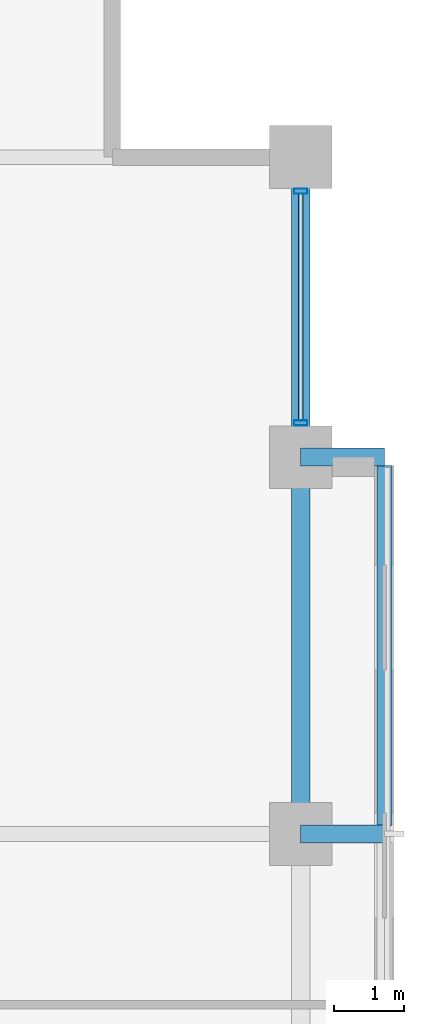
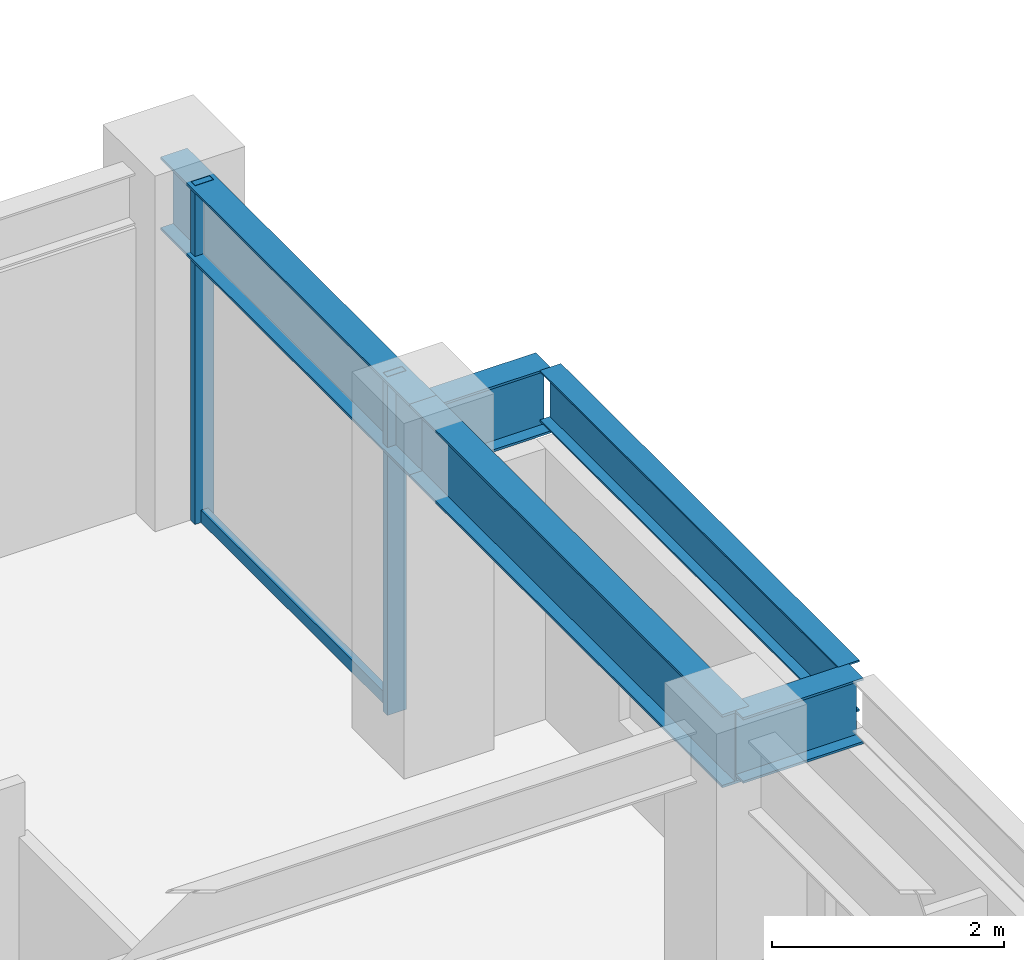
# One storey, part 24 of 32: 5 beams, 3 members, 1 element without a shape of its own.
"""IFC4 building model written with IfcOpenShell, lengths in metres."""

from ifc_helpers import new_model, si_unit, direction, frame, origin, origin_2d, place, context, subcontext, project, spatial, hollow_rectangle, i_section, extrude, material, layer, layer_set, material_profile, profile_set, type_object, element, aggregate, save


model = new_model("IFC4")

# Units and contexts
model_context = context("Model", 3, precision=1e-05, world=origin(), true_north=direction((0.0, 1.0)))
body_context = subcontext(model_context, "Body", "Model", "MODEL_VIEW")
ifc_project = project(units=[si_unit("LENGTHUNIT", "METRE"), si_unit("AREAUNIT", "SQUARE_METRE"), si_unit("VOLUMEUNIT", "CUBIC_METRE"), si_unit("PLANEANGLEUNIT", "RADIAN"), si_unit("MASSUNIT", "GRAM", prefix="KILO")], contexts=[model_context])

# Site, building, storey
site_placement = place(None, origin())
site = spatial("IfcSite", under=ifc_project, at=site_placement, CompositionType="ELEMENT")
building_placement = place(site_placement, origin())
building = spatial("IfcBuilding", under=site, at=building_placement, Name="Surkhivell Harbour Commons", CompositionType="ELEMENT")
storey_placement = place(building_placement, frame((0.0, 0.0, 186.0)))
storey = spatial("IfcBuildingStorey", under=building, at=storey_placement, Name="L48", CompositionType="ELEMENT", Elevation=186.0)

# Beams
ifc_material_1 = material(Name="Steel S460", Category="steel")
ifc_material_profile_1 = material_profile(ifc_material_1, i_section(OverallWidth=0.256103515625, OverallDepth=0.693115234375, WebThickness=0.014404296875, FlangeThickness=0.023681640625, at=origin_2d()), Name="UB686x254x170")
ifc_profile_set_1 = profile_set([ifc_material_profile_1], Name="Steel S460")
beam_type_1 = type_object("IfcBeamType", Name="BM-CNT-686", PredefinedType="BEAM", material=ifc_profile_set_1)
for number, where, z_axis, x_axis, name in (
    (1, (21.60009765625, 10.800048828125, 3.223388671875), (1.0, 0.0, 0.0), (0.0, 1.0, 0.0), "L48 Box Cantilever Outrigger (21.6,10.8)"),
    (2, (21.60009765625, 16.199951171875, 3.223388671875), (1.0, 0.0, 0.0), (0.0, 1.0, 0.0), "L48 Box Cantilever Outrigger (21.6,16.2)"),
):
    element("IfcBeam", number, at=place(storey_placement, frame(where, z_axis=z_axis, x_axis=x_axis)), inside=storey, type_object=beam_type_1, Name=name, PredefinedType="BEAM", context=body_context, shape_type="SweptSolid", body=[
        extrude(i_section(OverallWidth=0.256103515625, OverallDepth=0.693115234375, WebThickness=0.014404296875, FlangeThickness=0.023681640625, at=origin_2d()), origin(), (0.0, 0.0, 1.0), 1.199951171875),
    ])
ifc_material_2 = material(Name="Steel S355", Category="steel")
ifc_material_profile_2 = material_profile(ifc_material_2, i_section(OverallWidth=0.2099609375, OverallDepth=0.537109375, WebThickness=0.0107421875, FlangeThickness=0.017333984375, at=origin_2d()), Name="UB533x210x101")
ifc_profile_set_2 = profile_set([ifc_material_profile_2], Name="Steel S355")
beam_type_2 = type_object("IfcBeamType", Name="BM-GRD-533B", PredefinedType="BEAM", material=ifc_profile_set_2)
beam_1_placement = place(storey_placement, frame((22.800048828125, 10.922119140625, 3.301513671875), z_axis=(0.0, 1.0, 0.0), x_axis=(-1.0, 0.0, 0.0)))
element("IfcBeam", 3, at=beam_1_placement, inside=storey, type_object=beam_type_2, Name="L48 Box Rim Spandrel (22.8,10.8)", PredefinedType="BEAM", context=body_context, shape_type="SweptSolid", body=[
    extrude(i_section(OverallWidth=0.2099609375, OverallDepth=0.537109375, WebThickness=0.0107421875, FlangeThickness=0.017333984375, at=origin_2d()), origin(), (0.0, 0.0, 1.0), 5.15576171875),
])
ifc_material_profile_3 = material_profile(ifc_material_2, i_section(OverallWidth=0.26806640625, OverallDepth=0.77001953125, WebThickness=0.015625, FlangeThickness=0.025390625, at=origin_2d()), Name="UB762x267x197")
ifc_profile_set_3 = profile_set([ifc_material_profile_3], Name="Steel S355")
beam_type_3 = type_object("IfcBeamType", Name="BM-SPN-762", PredefinedType="SPANDREL", material=ifc_profile_set_3)
beam_2_placement = place(storey_placement, frame((21.60009765625, 10.800048828125, 3.18505859375), z_axis=(0.0, 1.0, 0.0), x_axis=(-1.0, 0.0, 0.0)))
element("IfcBeam", 4, at=beam_2_placement, inside=storey, type_object=beam_type_3, Name="L48 Tube Spandrel (21.6,10.8)", PredefinedType="SPANDREL", context=body_context, shape_type="SweptSolid", body=[
    extrude(i_section(OverallWidth=0.26806640625, OverallDepth=0.77001953125, WebThickness=0.015625, FlangeThickness=0.025390625, at=origin_2d()), origin(), (0.0, 0.0, 1.0), 5.39990234375),
])
beam_3_placement = place(storey_placement, frame((21.60009765625, 16.199951171875, 3.18505859375), z_axis=(0.0, 1.0, 0.0), x_axis=(-1.0, 0.0, 0.0)))
element("IfcBeam", 5, at=beam_3_placement, inside=storey, type_object=beam_type_3, Name="L48 Tube Spandrel (21.6,16.2)", PredefinedType="SPANDREL", context=body_context, shape_type="SweptSolid", body=[
    extrude(i_section(OverallWidth=0.26806640625, OverallDepth=0.77001953125, WebThickness=0.015625, FlangeThickness=0.025390625, at=origin_2d()), origin(), (0.0, 0.0, 1.0), 4.300048828125),
])

# Curtain wall, members
ifc_material_3 = material(Name="Anodised pale-metal aluminium and insulated glazing", Category="aluminium")
ifc_layer = layer(ifc_material_3, 0.18994140625)
ifc_layer_set = layer_set([ifc_layer], Name="Anodised pale-metal aluminium and insulated glazing")
curtain_wall_type = type_object("IfcCurtainWallType", Name="CW-SYS-Z3", PredefinedType="NOTDEFINED", material=ifc_layer_set)
curtain_wall_placement = place(storey_placement, origin())
curtain_wall = element("IfcCurtainWall", 6, at=curtain_wall_placement, inside=storey, type_object=curtain_wall_type, Name="L48 Curtain Wall CW-L48-E02R2", PredefinedType="NOTDEFINED")
ifc_material_4 = material(Name="Anodised pale-metal aluminium alloy 6063-T6", Category="aluminium")
ifc_material_profile_4 = material_profile(ifc_material_4, hollow_rectangle(XDim=0.074951171875, YDim=0.18994140625, WallThickness=0.00390625, at=origin_2d()), Name="ALU-MULL-75x190")
ifc_profile_set_4 = profile_set([ifc_material_profile_4], Name="Anodised pale-metal aluminium alloy 6063-T6")
member_type_1 = type_object("IfcMemberType", Name="CWM-190", PredefinedType="MULLION", material=ifc_profile_set_4)
member_1_placement = place(storey_placement, frame((21.60009765625, 16.689453125, 0.0), z_axis=(0.0, 0.0, 1.0), x_axis=(0.0, 1.0, 0.0)))
member_1 = element("IfcMember", 7, at=member_1_placement, type_object=member_type_1, Name="CW-Z3 mullion 1", PredefinedType="MULLION", context=body_context, shape_type="SweptSolid", body=[
    extrude(hollow_rectangle(XDim=0.074951171875, YDim=0.18994140625, WallThickness=0.00390625, at=origin_2d()), origin(), (0.0, 0.0, 1.0), 3.570068359375),
])
member_2_placement = place(storey_placement, frame((21.60009765625, 20.010498046875, 0.0), z_axis=(0.0, 0.0, 1.0), x_axis=(0.0, 1.0, 0.0)))
member_2 = element("IfcMember", 8, at=member_2_placement, type_object=member_type_1, Name="CW-Z3 mullion 2", PredefinedType="MULLION", context=body_context, shape_type="SweptSolid", body=[
    extrude(hollow_rectangle(XDim=0.074951171875, YDim=0.18994140625, WallThickness=0.00390625, at=origin_2d()), origin(), (0.0, 0.0, 1.0), 3.570068359375),
])
ifc_material_5 = material(Name="Champagne anodised aluminium alloy 6063-T6", Category="aluminium")
ifc_material_profile_5 = material_profile(ifc_material_5, hollow_rectangle(XDim=0.070068359375, YDim=0.1298828125, WallThickness=0.00341796875, at=origin_2d()), Name="ALU-TRAN-70x130")
ifc_profile_set_5 = profile_set([ifc_material_profile_5], Name="Champagne anodised aluminium alloy 6063-T6")
member_type_2 = type_object("IfcMemberType", Name="CWT-130", PredefinedType="USERDEFINED", material=ifc_profile_set_5)
member_3_placement = place(storey_placement, frame((21.60009765625, 16.72705078125, 0.06494140625), z_axis=(0.0, 1.0, 0.0), x_axis=(-1.0, 0.0, 0.0)))
member_3 = element("IfcMember", 9, at=member_3_placement, type_object=member_type_2, Name="CW-Z3 transom 1.1", ObjectType="TRANSOM", PredefinedType="USERDEFINED", context=body_context, shape_type="SweptSolid", body=[
    extrude(hollow_rectangle(XDim=0.070068359375, YDim=0.1298828125, WallThickness=0.00341796875, at=origin_2d()), origin(), (0.0, 0.0, 1.0), 3.245849609375),
])
aggregate(curtain_wall, [member_1, member_2, member_3])

save(model, "model.ifc")
